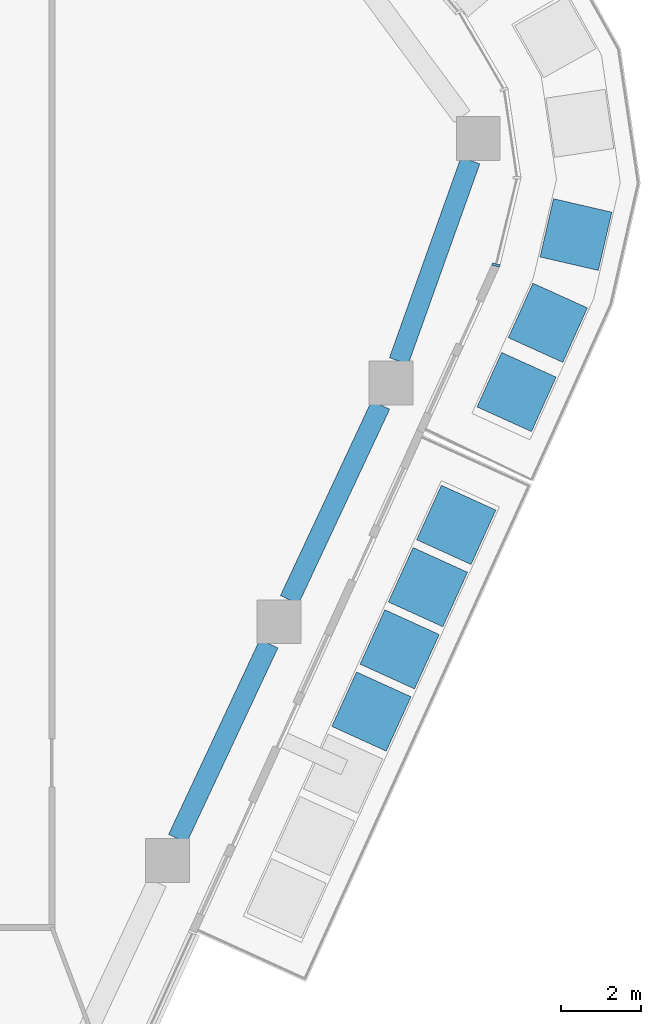
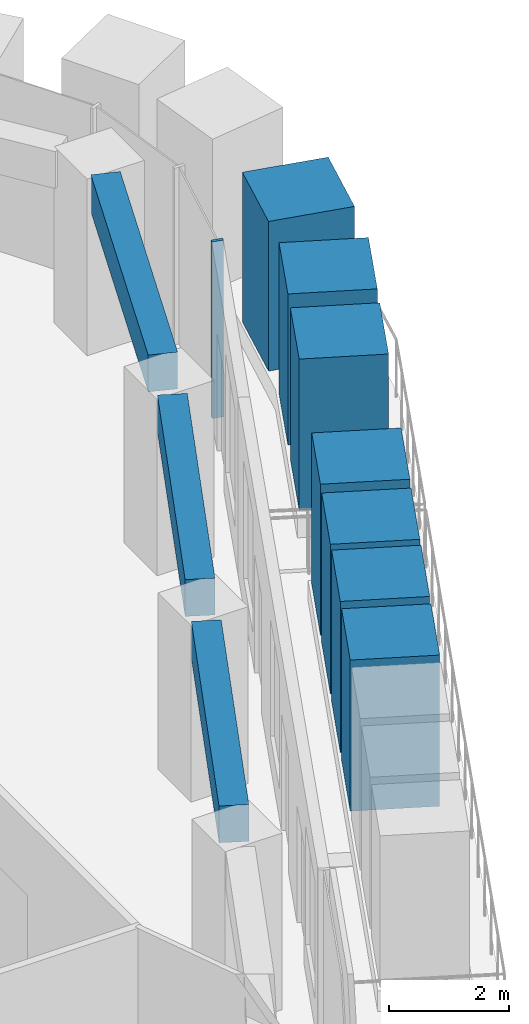
# One storey, part 5 of 21: 8 members, 3 beams, 1 element without a shape of its own.
"""IFC4 building model written with IfcOpenShell, lengths in metres."""

from ifc_helpers import new_model, si_unit, direction, frame, origin, origin_2d, place, context, subcontext, project, spatial, rectangle, extrude, material, layer, layer_set, material_profile, profile_set, type_object, element, aggregate, save


model = new_model("IFC4")

# Units and contexts
model_context = context("Model", 3, precision=1e-05, world=origin(), true_north=direction((0.0, 1.0)))
body_context = subcontext(model_context, "Body", "Model", "MODEL_VIEW")
ifc_project = project(units=[si_unit("LENGTHUNIT", "METRE"), si_unit("AREAUNIT", "SQUARE_METRE"), si_unit("VOLUMEUNIT", "CUBIC_METRE"), si_unit("PLANEANGLEUNIT", "RADIAN"), si_unit("MASSUNIT", "GRAM", prefix="KILO")], contexts=[model_context])

# Site, building, storey
site_placement = place(None, origin())
site = spatial("IfcSite", under=ifc_project, at=site_placement, CompositionType="ELEMENT")
building_placement = place(site_placement, origin())
building = spatial("IfcBuilding", under=site, at=building_placement, Name="Dongbaek Canopy Tower", CompositionType="ELEMENT")
storey_placement = place(building_placement, frame((0.0, 0.0, 279.0)))
storey = spatial("IfcBuildingStorey", under=building, at=storey_placement, Name="L59", CompositionType="ELEMENT", Elevation=279.0)

# Curtain wall, member
ifc_material_1 = material(Name="Aluminium 6063-T6 pale anodised", Category="aluminium")
ifc_layer = layer(ifc_material_1, 0.199951171875)
ifc_layer_set = layer_set([ifc_layer], Name="CW-1 unitised tower curtain wall")
curtain_wall_type = type_object("IfcCurtainWallType", Name="CW-1 unitised tower curtain wall", PredefinedType="NOTDEFINED", material=ifc_layer_set)
curtain_wall_placement = place(storey_placement, origin())
curtain_wall = element("IfcCurtainWall", 1, at=curtain_wall_placement, inside=storey, type_object=curtain_wall_type, Name="CW-1 curtain wall K0.1", PredefinedType="NOTDEFINED")
ifc_material_2 = material(Name="Aluminium 6063-T6 pale anodised", Category="aluminium")
ifc_material_profile_1 = material_profile(ifc_material_2, rectangle(XDim=0.199951171875, YDim=0.06005859375, at=origin_2d()), Name="CW-1 mullion 60 x 200")
ifc_profile_set_1 = profile_set([ifc_material_profile_1], Name="Aluminium 6063-T6 pale anodised")
member_type_1 = type_object("IfcMemberType", Name="CW-1 mullion 60 x 200", PredefinedType="MULLION", material=ifc_profile_set_1)
member_1_placement = place(storey_placement, frame((27.93603515625, 2.80712890625, 0.0), z_axis=(0.0, 0.0, 1.0), x_axis=(0.972359234246, -0.233489870394, 0.0)))
member_1 = element("IfcMember", 2, at=member_1_placement, type_object=member_type_1, Name="CW-1 mullion K0.1.1", PredefinedType="MULLION", context=body_context, shape_type="SweptSolid", body=[
    extrude(rectangle(XDim=0.199951171875, YDim=0.06005859375, at=origin_2d()), origin(), (0.0, 0.0, 1.0), 3.60009765625),
])
aggregate(curtain_wall, [member_1])

# Beams
ifc_material_3 = material(Name="Concrete C70", Category="concrete")
ifc_material_profile_2 = material_profile(ifc_material_3, rectangle(XDim=0.5, YDim=0.75, at=origin_2d()), Name="RC EDGE BEAM 500x750 C70")
ifc_profile_set_2 = profile_set([ifc_material_profile_2], Name="Concrete C70")
beam_type = type_object("IfcBeamType", Name="RC EDGE BEAM 500x750 C70", PredefinedType="BEAM", material=ifc_profile_set_2)
beam_1_placement = place(storey_placement, frame((27.29541015625, 5.427001953125, 3.22509765625), z_axis=(-0.336466714227, -0.94169535956, 0.0), x_axis=(0.94169535956, -0.336466714227, 0.0)))
element("IfcBeam", 3, at=beam_1_placement, inside=storey, type_object=beam_type, Name="EDGEBEAM:L59:21", PredefinedType="BEAM", context=body_context, shape_type="SweptSolid", body=[
    extrude(rectangle(XDim=0.5, YDim=0.75, at=origin_2d()), origin(), (0.0, 0.0, 1.0), 5.34033203125),
])
beam_2_placement = place(storey_placement, frame((25.04443359375, -0.701904296875, 3.22509765625), z_axis=(-0.423972479832, -0.905675072167, 0.0), x_axis=(0.905675072167, -0.423972479832, 0.0)))
element("IfcBeam", 4, at=beam_2_placement, inside=storey, type_object=beam_type, Name="EDGEBEAM:L59:22", PredefinedType="BEAM", context=body_context, shape_type="SweptSolid", body=[
    extrude(rectangle(XDim=0.5, YDim=0.75, at=origin_2d()), origin(), (0.0, 0.0, 1.0), 5.396240234375),
])
beam_3_placement = place(storey_placement, frame((22.241455078125, -6.68896484375, 3.22509765625), z_axis=(-0.424105880993, -0.905612611279, 0.0), x_axis=(0.905612611279, -0.424105880993, 0.0)))
element("IfcBeam", 5, at=beam_3_placement, inside=storey, type_object=beam_type, Name="EDGEBEAM:L59:23", PredefinedType="BEAM", context=body_context, shape_type="SweptSolid", body=[
    extrude(rectangle(XDim=0.5, YDim=0.75, at=origin_2d()), origin(), (0.0, 0.0, 1.0), 5.3974609375),
])

# Members
ifc_material_4 = material(Name="Concrete C40/50 planter mass with planting", Category="concrete")
ifc_material_profile_3 = material_profile(ifc_material_4, rectangle(XDim=1.5, YDim=1.5, at=origin_2d()), Name="Terrace PLANTER shrub mass 1500 x 1500")
ifc_profile_set_3 = profile_set([ifc_material_profile_3], Name="Concrete C40/50 planter mass with planting")
member_type_2 = type_object("IfcMemberType", Name="Terrace PLANTER shrub mass 1500 x 1500", PredefinedType="USERDEFINED", material=ifc_profile_set_3)
for number, where, z_axis, x_axis, name in (
    (6, (24.8115234375, -8.39111328125, 0.419921875), (0.0, 0.0, 1.0), (0.91035121433, -0.413836521549, 0.0), "Planter shrubs L59 2.4"),
    (7, (25.520751953125, -6.830810546875, 0.419921875), (0.0, 0.0, 1.0), (0.91035121433, -0.413836521549, 0.0), "Planter shrubs L59 2.5"),
):
    element("IfcMember", number, at=place(storey_placement, frame(where, z_axis=z_axis, x_axis=x_axis)), inside=storey, type_object=member_type_2, Name=name, ObjectType="PLANTER", PredefinedType="USERDEFINED", context=body_context, shape_type="SweptSolid", body=[
        extrude(rectangle(XDim=1.5, YDim=1.5, at=origin_2d()), origin(), (0.0, 0.0, 1.0), 3.080078125),
    ])
member_2_placement = place(storey_placement, frame((26.22998046875, -5.270751953125, 0.419921875), z_axis=(0.0, 0.0, 1.0), x_axis=(0.91035121433, -0.413836521549, 0.0)))
element("IfcMember", 8, at=member_2_placement, inside=storey, type_object=member_type_2, Name="Planter shrubs L59 2.6", ObjectType="PLANTER", PredefinedType="USERDEFINED", context=body_context, shape_type="SweptSolid", body=[
    extrude(rectangle(XDim=1.5, YDim=1.5, at=origin_2d()), origin(), (0.0, 0.0, 1.0), 3.050048828125),
])
for number, where, z_axis, x_axis, name in (
    (9, (26.939208984375, -3.710693359375, 0.419921875), (0.0, 0.0, 1.0), (0.91035121433, -0.413836521549, 0.0), "Planter shrubs L59 2.7"),
    (10, (28.451904296875, -0.378662109375, 0.419921875), (0.0, 0.0, 1.0), (0.911185817477, -0.411995638362, 0.0), "Planter shrubs L59 3.1"),
    (11, (29.236572265625, 1.357177734375, 0.419921875), (0.0, 0.0, 1.0), (0.911185817477, -0.411995638362, 0.0), "Planter shrubs L59 3.2"),
):
    element("IfcMember", number, at=place(storey_placement, frame(where, z_axis=z_axis, x_axis=x_axis)), inside=storey, type_object=member_type_2, Name=name, ObjectType="PLANTER", PredefinedType="USERDEFINED", context=body_context, shape_type="SweptSolid", body=[
        extrude(rectangle(XDim=1.5, YDim=1.5, at=origin_2d()), origin(), (0.0, 0.0, 1.0), 3.080078125),
    ])
member_3_placement = place(storey_placement, frame((29.940185546875, 3.569580078125, 0.419921875), z_axis=(0.0, 0.0, 1.0), x_axis=(0.97427371862, -0.225367968455, 0.0)))
element("IfcMember", 12, at=member_3_placement, inside=storey, type_object=member_type_2, Name="Planter shrubs L59 3.3", ObjectType="PLANTER", PredefinedType="USERDEFINED", context=body_context, shape_type="SweptSolid", body=[
    extrude(rectangle(XDim=1.5, YDim=1.5, at=origin_2d()), origin(), (0.0, 0.0, 1.0), 3.050048828125),
])

save(model, "model.ifc")
